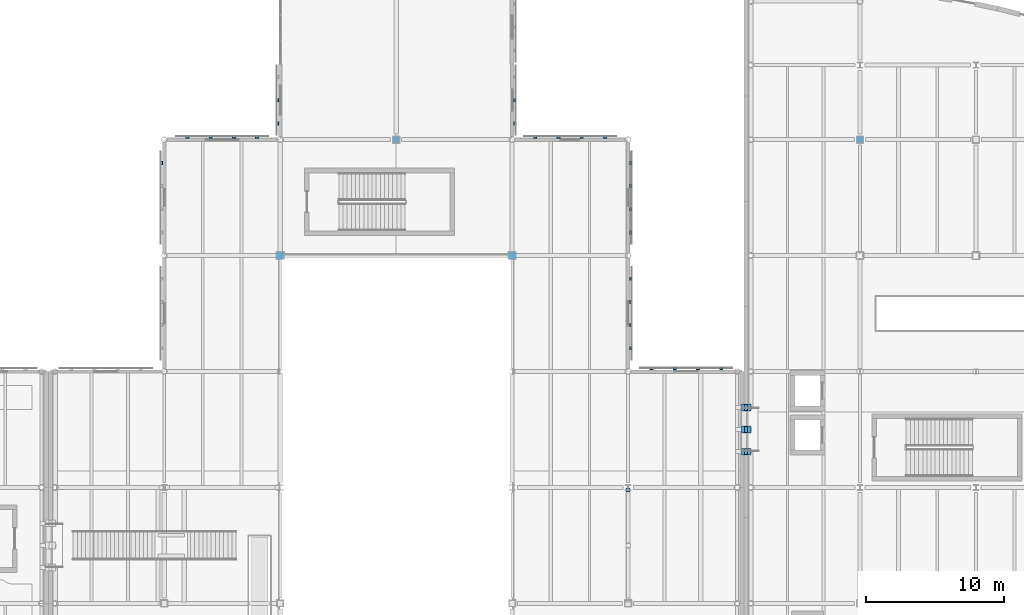
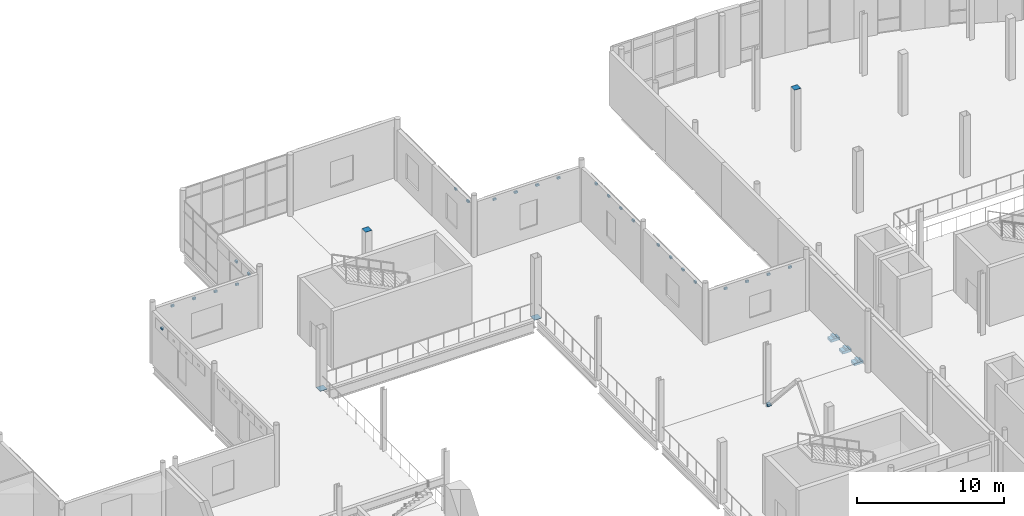
# One storey, part 82 of 104: 36 discrete accessories.
"""IFC4 building model written with IfcOpenShell, lengths in metres."""

from ifc_helpers import new_model, si_unit, direction, frame, origin, origin_2d, place, context, subcontext, project, spatial, rectangle, extrude, material, type_object, element, save


model = new_model("IFC4")

# Units and contexts
model_context = context("Model", 3, precision=1e-05, world=origin(), true_north=direction((0.0, 1.0)))
body_context = subcontext(model_context, "Body", "Model", "MODEL_VIEW")
ifc_project = project(units=[si_unit("LENGTHUNIT", "METRE"), si_unit("AREAUNIT", "SQUARE_METRE"), si_unit("VOLUMEUNIT", "CUBIC_METRE"), si_unit("PLANEANGLEUNIT", "RADIAN"), si_unit("MASSUNIT", "GRAM", prefix="KILO"), si_unit("THERMODYNAMICTEMPERATUREUNIT", "KELVIN")], contexts=[model_context])

# Site, building, storey
site_placement = place(None, origin())
site = spatial("IfcSite", under=ifc_project, at=site_placement, CompositionType="ELEMENT")
building_placement = place(site_placement, origin())
building = spatial("IfcBuilding", under=site, at=building_placement, Name="Lustrewick Department Store", CompositionType="ELEMENT")
storey_placement = place(building_placement, frame((0.0, 0.0, 11.39990234375)))
storey = spatial("IfcBuildingStorey", under=building, at=storey_placement, Name="L03", CompositionType="ELEMENT", Elevation=11.39990234375)

# Discrete accessories
ifc_material_1 = material(Name="Anodized filigree aluminium 6061-T6", Category="aluminium")
discrete_accessory_type_1 = type_object("IfcDiscreteAccessoryType", Name="BRK-FIL", PredefinedType="BRACKET", material=ifc_material_1)
for number, where, z_axis, x_axis, name in (
    (1, (107.5439453125, 84.18994140625, 3.7509765625), (0.0, 0.0, 1.0), (-1.0, 0.0, 0.0), "L03 Filigree Stand-Off Bracket 0309"),
    (2, (105.864013671875, 84.18994140625, 3.7509765625), (0.0, 0.0, 1.0), (-1.0, 0.0, 0.0), "L03 Filigree Stand-Off Bracket 0310"),
    (3, (104.18408203125, 84.18994140625, 3.7509765625), (0.0, 0.0, 1.0), (-1.0, 0.0, 0.0), "L03 Filigree Stand-Off Bracket 0311"),
    (4, (102.50390625, 84.18994140625, 3.7509765625), (0.0, 0.0, 1.0), (-1.0, 0.0, 0.0), "L03 Filigree Stand-Off Bracket 0312"),
    (5, (101.0, 85.687255859375, 3.9072265625), (0.0, 0.0, 1.0), (0.0, 1.0, 0.0), "L03 Filigree Stand-Off Bracket 0313"),
    (6, (101.0, 87.3671875, 3.9072265625), (0.0, 0.0, 1.0), (0.0, 1.0, 0.0), "L03 Filigree Stand-Off Bracket 0314"),
    (7, (101.0, 89.047119140625, 3.9072265625), (0.0, 0.0, 1.0), (0.0, 1.0, 0.0), "L03 Filigree Stand-Off Bracket 0315"),
    (8, (101.0, 90.727294921875, 3.9072265625), (0.0, 0.0, 1.0), (0.0, 1.0, 0.0), "L03 Filigree Stand-Off Bracket 0316"),
    (9, (100.97998046875, 94.07275390625, 3.9072265625), (0.0, 0.0, 1.0), (0.0, 1.0, 0.0), "L03 Filigree Stand-Off Bracket 0317"),
    (10, (100.97998046875, 95.752685546875, 3.9072265625), (0.0, 0.0, 1.0), (0.0, 1.0, 0.0), "L03 Filigree Stand-Off Bracket 0318"),
    (11, (100.97998046875, 97.4326171875, 3.9072265625), (0.0, 0.0, 1.0), (0.0, 1.0, 0.0), "L03 Filigree Stand-Off Bracket 0319"),
    (12, (100.97998046875, 99.11279296875, 3.9072265625), (0.0, 0.0, 1.0), (0.0, 1.0, 0.0), "L03 Filigree Stand-Off Bracket 0320"),
    (13, (99.1201171875, 100.97998046875, 3.9072265625), (0.0, 0.0, 1.0), (-1.0, 0.0, 0.0), "L03 Filigree Stand-Off Bracket 0321"),
    (14, (97.43994140625, 100.97998046875, 3.9072265625), (0.0, 0.0, 1.0), (-1.0, 0.0, 0.0), "L03 Filigree Stand-Off Bracket 0322"),
    (15, (95.760009765625, 100.97998046875, 3.9072265625), (0.0, 0.0, 1.0), (-1.0, 0.0, 0.0), "L03 Filigree Stand-Off Bracket 0323"),
    (16, (94.080078125, 100.97998046875, 3.9072265625), (0.0, 0.0, 1.0), (-1.0, 0.0, 0.0), "L03 Filigree Stand-Off Bracket 0324"),
    (17, (92.590087890625, 101.968505859375, 3.6611328125), (0.0, 0.0, 1.0), (0.0, 1.0, 0.0), "L03 Filigree Stand-Off Bracket 0325"),
    (18, (92.590087890625, 103.6484375, 3.6611328125), (0.0, 0.0, 1.0), (0.0, 1.0, 0.0), "L03 Filigree Stand-Off Bracket 0326"),
    (19, (75.409912109375, 103.6484375, 3.6611328125), (0.0, 0.0, 1.0), (0.0, -1.0, 0.0), "L03 Filigree Stand-Off Bracket 0336"),
    (20, (75.409912109375, 101.968505859375, 3.6611328125), (0.0, 0.0, 1.0), (0.0, -1.0, 0.0), "L03 Filigree Stand-Off Bracket 0337"),
    (21, (73.919921875, 100.989990234375, 3.9072265625), (0.0, 0.0, 1.0), (-1.0, 0.0, 0.0), "L03 Filigree Stand-Off Bracket 0338"),
    (22, (72.239990234375, 100.989990234375, 3.9072265625), (0.0, 0.0, 1.0), (-1.0, 0.0, 0.0), "L03 Filigree Stand-Off Bracket 0339"),
    (23, (70.56005859375, 100.989990234375, 3.9072265625), (0.0, 0.0, 1.0), (-1.0, 0.0, 0.0), "L03 Filigree Stand-Off Bracket 0340"),
    (24, (68.8798828125, 100.989990234375, 3.9072265625), (0.0, 0.0, 1.0), (-1.0, 0.0, 0.0), "L03 Filigree Stand-Off Bracket 0341"),
    (25, (67.0, 99.11279296875, 3.8173828125), (0.0, 0.0, 1.0), (0.0, -1.0, 0.0), "L03 Filigree Stand-Off Bracket 0342"),
):
    element("IfcDiscreteAccessory", number, at=place(storey_placement, frame(where, z_axis=z_axis, x_axis=x_axis)), inside=storey, type_object=discrete_accessory_type_1, Name=name, PredefinedType="BRACKET", context=body_context, shape_type="SweptSolid", body=[
        extrude(rectangle(XDim=0.239990234375, YDim=0.139892578125, at=origin_2d()), origin(), (0.0, 0.0, 1.0), 0.159912109375),
    ])
ifc_material_2 = material(Name="Structural steel Q355C", Category="steel")
discrete_accessory_type_2 = type_object("IfcDiscreteAccessoryType", Name="GUS-NODE", PredefinedType="BRACKET", material=ifc_material_2)
discrete_accessory_1_placement = place(storey_placement, frame((100.800048828125, 75.406005859375, 0.06005859375), z_axis=(0.0, 0.0, 1.0), x_axis=(1.0, 0.0, 0.0)))
element("IfcDiscreteAccessory", 26, at=discrete_accessory_1_placement, inside=storey, type_object=discrete_accessory_type_2, Name="L03 V2 Brace Base Gusset Plate", PredefinedType="BRACKET", context=body_context, shape_type="SweptSolid", body=[
    extrude(rectangle(XDim=0.280029296875, YDim=0.280029296875, at=origin_2d()), origin(), (0.0, 0.0, 1.0), 0.179931640625),
])
discrete_accessory_type_3 = type_object("IfcDiscreteAccessoryType", Name="SB-CORBEL", PredefinedType="BRACKET", material=ifc_material_2)
for number, where, z_axis, x_axis, name in (
    (27, (109.35009765625, 78.199951171875, -1.11279296875), (0.0, 0.0, 1.0), (1.0, 0.0, 0.0), "L03 Skybridge SB24 700 mm Bearing Seat Corbel 1"),
    (28, (109.35009765625, 79.800048828125, -1.11279296875), (0.0, 0.0, 1.0), (1.0, 0.0, 0.0), "L03 Skybridge SB24 700 mm Bearing Seat Corbel 2"),
    (29, (109.35009765625, 81.39990234375, -1.11279296875), (0.0, 0.0, 1.0), (1.0, 0.0, 0.0), "L03 Skybridge SB24 700 mm Bearing Seat Corbel 3"),
):
    element("IfcDiscreteAccessory", number, at=place(storey_placement, frame(where, z_axis=z_axis, x_axis=x_axis)), inside=storey, type_object=discrete_accessory_type_3, Name=name, PredefinedType="BRACKET", context=body_context, shape_type="SweptSolid", body=[
        extrude(rectangle(XDim=0.699951171875, YDim=0.47998046875, at=origin_2d()), origin(), (0.0, 0.0, 1.0), 0.219970703125),
    ])
discrete_accessory_type_4 = type_object("IfcDiscreteAccessoryType", Name="SB-PTFE", PredefinedType="BRACKET", material=ifc_material_2)
for number, where, z_axis, x_axis, name in (
    (30, (109.35009765625, 78.199951171875, -0.89306640625), (0.0, 0.0, 1.0), (1.0, 0.0, 0.0), "L03 Skybridge SB24 PTFE Sliding Bearing 1"),
    (31, (109.35009765625, 79.800048828125, -0.89306640625), (0.0, 0.0, 1.0), (1.0, 0.0, 0.0), "L03 Skybridge SB24 PTFE Sliding Bearing 2"),
    (32, (109.35009765625, 81.39990234375, -0.89306640625), (0.0, 0.0, 1.0), (1.0, 0.0, 0.0), "L03 Skybridge SB24 PTFE Sliding Bearing 3"),
):
    element("IfcDiscreteAccessory", number, at=place(storey_placement, frame(where, z_axis=z_axis, x_axis=x_axis)), inside=storey, type_object=discrete_accessory_type_4, Name=name, PredefinedType="BRACKET", context=body_context, shape_type="SweptSolid", body=[
        extrude(rectangle(XDim=0.199951171875, YDim=0.449951171875, at=origin_2d()), origin(), (0.0, 0.0, 1.0), 0.159912109375),
    ])
discrete_accessory_type_5 = type_object("IfcDiscreteAccessoryType", Name="ECP-01", PredefinedType="USERDEFINED", material=ifc_material_2)
discrete_accessory_2_placement = place(storey_placement, frame((75.60009765625, 92.39990234375, 0.006103515625), z_axis=(0.0, 0.0, -1.0), x_axis=(1.0, 0.0, 0.0)))
element("IfcDiscreteAccessory", 33, at=discrete_accessory_2_placement, inside=storey, type_object=discrete_accessory_type_5, Name="L03 Welded Hollow-Section End-Cap Plate ECP-01", ObjectType="END_CAP_PLATE", PredefinedType="USERDEFINED", context=body_context, shape_type="SweptSolid", body=[
    extrude(rectangle(XDim=0.550048828125, YDim=0.550048828125, at=origin_2d()), origin(), (0.0, 0.0, 1.0), 0.01611328125),
])
for number, where, z_axis, x_axis, name in (
    (34, (84.0, 100.800048828125, 5.093994140625), (0.0, 0.0, 1.0), (1.0, 0.0, 0.0), "L03 Welded Hollow-Section End-Cap Plate ECP-01"),
    (35, (117.60009765625, 100.800048828125, 5.093994140625), (0.0, 0.0, 1.0), (1.0, 0.0, 0.0), "L03 Welded Hollow-Section End-Cap Plate ECP-01"),
):
    element("IfcDiscreteAccessory", number, at=place(storey_placement, frame(where, z_axis=z_axis, x_axis=x_axis)), inside=storey, type_object=discrete_accessory_type_5, Name=name, ObjectType="END_CAP_PLATE", PredefinedType="USERDEFINED", context=body_context, shape_type="SweptSolid", body=[
        extrude(rectangle(XDim=0.5, YDim=0.5, at=origin_2d()), origin(), (0.0, 0.0, 1.0), 0.01611328125),
    ])
discrete_accessory_3_placement = place(storey_placement, frame((92.39990234375, 92.39990234375, 0.006103515625), z_axis=(0.0, 0.0, -1.0), x_axis=(1.0, 0.0, 0.0)))
element("IfcDiscreteAccessory", 36, at=discrete_accessory_3_placement, inside=storey, type_object=discrete_accessory_type_5, Name="L03 Welded Hollow-Section End-Cap Plate ECP-01", ObjectType="END_CAP_PLATE", PredefinedType="USERDEFINED", context=body_context, shape_type="SweptSolid", body=[
    extrude(rectangle(XDim=0.550048828125, YDim=0.550048828125, at=origin_2d()), origin(), (0.0, 0.0, 1.0), 0.01611328125),
])

save(model, "model.ifc")
